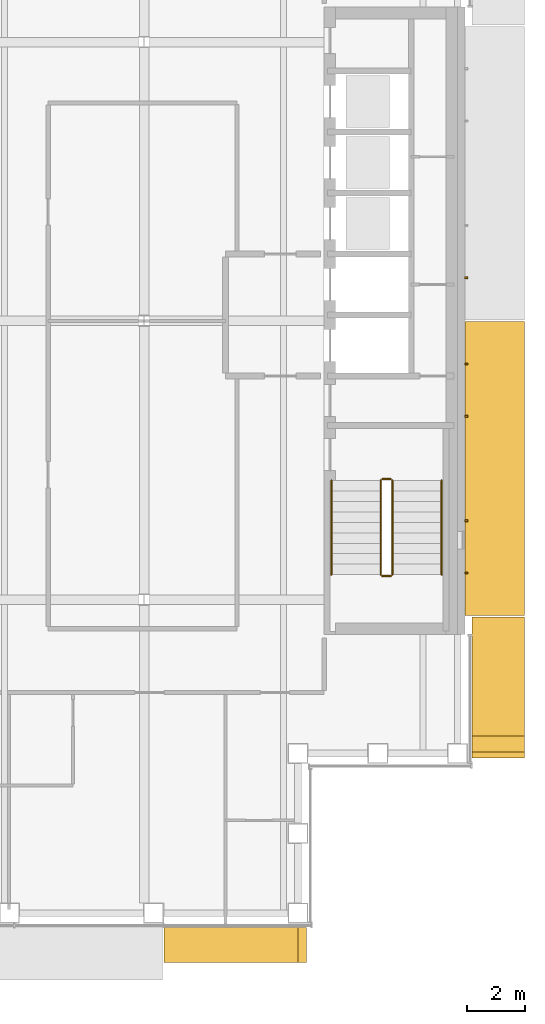
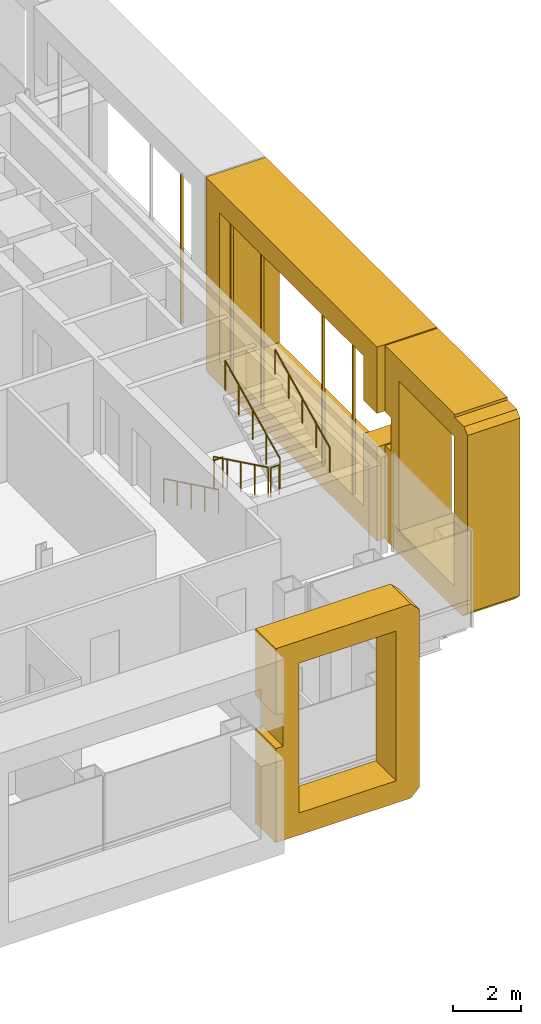
# One storey, part 16 of 19: 8 coverings, 6 railings.
"""IFC4 building model written with IfcOpenShell, lengths in metres."""

from ifc_helpers import new_model, si_unit, direction, frame, origin, origin_2d, place, context, subcontext, project, spatial, polyline, rectangle, circle, outline, extrude, material, type_object, element, save


model = new_model("IFC4")

# Units and contexts
model_context = context("Model", 3, precision=1e-05, world=origin(), true_north=direction((0.0, 1.0)))
body_context = subcontext(model_context, "Body", "Model", "MODEL_VIEW")
ifc_project = project(units=[si_unit("LENGTHUNIT", "METRE"), si_unit("AREAUNIT", "SQUARE_METRE"), si_unit("VOLUMEUNIT", "CUBIC_METRE"), si_unit("PLANEANGLEUNIT", "RADIAN"), si_unit("MASSUNIT", "GRAM", prefix="KILO")], contexts=[model_context])

# Site, building, storey
site_placement = place(None, origin())
site = spatial("IfcSite", under=ifc_project, at=site_placement, CompositionType="ELEMENT")
building_placement = place(site_placement, origin())
building = spatial("IfcBuilding", under=site, at=building_placement, Name="Cobrizo Arcos Hotel Tower", CompositionType="ELEMENT")
storey_placement = place(building_placement, frame((0.0, 0.0, 205.0)))
storey = spatial("IfcBuildingStorey", under=building, at=storey_placement, Name="L53", CompositionType="ELEMENT", Elevation=205.0)

# Coverings
ifc_material_1 = material(Name="Aluminium 6063-T6 anodised bronze", Category="aluminium")
covering_type_1 = type_object("IfcCoveringType", Name="FIN-F 1200", PredefinedType="CLADDING", material=ifc_material_1)
covering_1_placement = place(storey_placement, frame((10.291748046875, -20.89990234375, 0.0), z_axis=(0.0, -1.0, 0.0), x_axis=(1.0, 0.0, 0.0)))
element("IfcCovering", 1, at=covering_1_placement, inside=storey, type_object=covering_type_1, Name="Fin frame 334", PredefinedType="CLADDING", context=body_context, shape_type="SweptSolid", body=[
    extrude(outline(polyline([(0.0, 7.0), (0.0, 4.60205078125), (0.24365234375, 4.60205078125), (0.24365234375, 3.39794921875), (0.0, 3.39794921875), (0.0, 0.0), (4.6083984375, 0.0), (4.908203125, 0.300048828125), (4.908203125, 6.699951171875), (4.6083984375, 7.0), (0.0, 7.0)]), holes=[polyline([(4.1083984375, 0.800048828125), (0.800048828125, 0.800048828125), (0.800048828125, 6.199951171875), (4.1083984375, 6.199951171875), (4.1083984375, 0.800048828125)])]), origin(), (0.0, 0.0, 1.0), 1.2001953125),
])
covering_type_2 = type_object("IfcCoveringType", Name="FIN-F 1800", PredefinedType="CLADDING", material=ifc_material_1)
covering_2_placement = place(storey_placement, frame((20.89990234375, -15.050048828125, 0.0), z_axis=(1.0, 0.0, 0.0), x_axis=(0.0, 1.0, 0.0)))
element("IfcCovering", 2, at=covering_2_placement, inside=storey, type_object=covering_type_2, Name="Fin frame 313", PredefinedType="CLADDING", context=body_context, shape_type="SweptSolid", body=[
    extrude(outline(polyline([(4.8583984375, 0.0), (4.8583984375, 3.39794921875), (4.5146484375, 3.39794921875), (4.5146484375, 4.60205078125), (4.8583984375, 4.60205078125), (4.8583984375, 7.0), (0.751953125, 7.0), (0.751953125, 6.89794921875), (0.197998046875, 6.89794921875), (0.0, 6.699951171875), (0.0, 0.300048828125), (0.300048828125, 0.0), (4.8583984375, 0.0)]), holes=[polyline([(4.058349609375, 0.800048828125), (0.800048828125, 0.800048828125), (0.800048828125, 6.199951171875), (4.058349609375, 6.199951171875), (4.058349609375, 0.800048828125)])]), origin(), (0.0, 0.0, 1.0), 1.800048828125),
])
covering_type_3 = type_object("IfcCoveringType", Name="FIN-F 2050", PredefinedType="CLADDING", material=ifc_material_1)
covering_3_placement = place(storey_placement, frame((20.64990234375, -10.1416015625, 0.0), z_axis=(1.0, 0.0, 0.0), x_axis=(0.0, 1.0, 0.0)))
element("IfcCovering", 3, at=covering_3_placement, inside=storey, type_object=covering_type_3, Name="Fin frame 314", PredefinedType="CLADDING", context=body_context, shape_type="SweptSolid", body=[
    extrude(outline(polyline([(0.0, 7.0), (0.0, 4.60205078125), (0.800048828125, 4.60205078125), (0.800048828125, 6.199951171875), (9.316650390625, 6.199951171875), (9.316650390625, 0.800048828125), (0.800048828125, 0.800048828125), (0.800048828125, 3.39794921875), (0.0, 3.39794921875), (0.0, 0.0), (10.11669921875, 0.0), (10.11669921875, 7.0), (0.0, 7.0)])), origin(), (0.0, 0.0, 1.0), 2.050048828125),
])
ifc_material_2 = material(Name="Aluminium 6063-T6 anodised pale", Category="aluminium")
covering_type_4 = type_object("IfcCoveringType", Name="RS-1 rainscreen rib 60x90", PredefinedType="CLADDING", material=ifc_material_2)
for number, where, z_axis, x_axis, name in (
    (4, (20.695068359375, -8.683349609375, 0.800048828125), (0.0, 0.0, 1.0), (0.0, 1.0, 0.0), "Rainscreen rib 201"),
    (5, (20.695068359375, -6.88330078125, 0.800048828125), (0.0, 0.0, 1.0), (0.0, 1.0, 0.0), "Rainscreen rib 202"),
    (6, (20.695068359375, -3.283447265625, 0.800048828125), (0.0, 0.0, 1.0), (0.0, 1.0, 0.0), "Rainscreen rib 203"),
    (7, (20.695068359375, -1.4833984375, 0.800048828125), (0.0, 0.0, 1.0), (0.0, 1.0, 0.0), "Rainscreen rib 204"),
    (8, (20.695068359375, 1.4833984375, 0.800048828125), (0.0, 0.0, 1.0), (0.0, 1.0, 0.0), "Rainscreen rib 205"),
):
    element("IfcCovering", number, at=place(storey_placement, frame(where, z_axis=z_axis, x_axis=x_axis)), inside=storey, type_object=covering_type_4, Name=name, PredefinedType="CLADDING", context=body_context, shape_type="SweptSolid", body=[
        extrude(rectangle(XDim=0.06005859375, YDim=0.090087890625, at=origin_2d()), origin(), (0.0, 0.0, 1.0), 5.39990234375),
    ])

# Railings
ifc_material_3 = material(Name="Stainless steel railing", Category="steel")
railing_type_1 = type_object("IfcRailingType", Name="Stair guard 1100", PredefinedType="GUARDRAIL", material=ifc_material_3)
railing_1_placement = place(storey_placement, frame((17.75, -5.5, 0.175048828125)))
element("IfcRailing", 9, at=railing_1_placement, inside=storey, type_object=railing_type_1, Name="L53 ST-E stair guard 1", PredefinedType="GUARDRAIL", context=body_context, shape_type="SweptSolid", body=[
    extrude(circle(Radius=0.02392578125, at=origin_2d()), frame((0.0, 0.0, 1.076171875), z_axis=(0.0, -0.899372665325, 0.437182809435), x_axis=(1.0, 0.0, 0.0)), (0.0, 0.0, 1.0), 3.6025390625),
    extrude(circle(Radius=0.02099609375, at=origin_2d()), origin(), (0.0, 0.0, 1.0), 1.052001953125),
    extrude(circle(Radius=0.02099609375, at=origin_2d()), frame((0.0, -0.81005859375, 0.393798828125)), (0.0, 0.0, 1.0), 1.052001953125),
    extrude(circle(Radius=0.02099609375, at=origin_2d()), frame((0.0, -1.6201171875, 0.78759765625)), (0.0, 0.0, 1.0), 1.052001953125),
    extrude(circle(Radius=0.02099609375, at=origin_2d()), frame((0.0, -2.429931640625, 1.18115234375)), (0.0, 0.0, 1.0), 1.052001953125),
    extrude(circle(Radius=0.02099609375, at=origin_2d()), frame((0.0, -3.239990234375, 1.574951171875)), (0.0, 0.0, 1.0), 1.052001953125),
])
railing_2_placement = place(storey_placement, frame((17.800048828125, -8.7900390625, 1.75)))
element("IfcRailing", 10, at=railing_2_placement, inside=storey, type_object=railing_type_1, Name="L53 ST-E stair guard 2", PredefinedType="GUARDRAIL", context=body_context, shape_type="SweptSolid", body=[
    extrude(circle(Radius=0.02392578125, at=origin_2d()), frame((0.0, 0.0, 1.076171875), z_axis=(1.0, 0.0, 0.0), x_axis=(0.0, 1.0, 0.0)), (0.0, 0.0, 1.0), 0.300048828125),
    extrude(circle(Radius=0.02099609375, at=origin_2d()), origin(), (0.0, 0.0, 1.0), 1.052001953125),
    extrude(circle(Radius=0.02099609375, at=origin_2d()), frame((0.300048828125, 0.0, 0.0)), (0.0, 0.0, 1.0), 1.052001953125),
])
railing_3_placement = place(storey_placement, frame((18.14990234375, -8.739990234375, 1.925048828125)))
element("IfcRailing", 11, at=railing_3_placement, inside=storey, type_object=railing_type_1, Name="L53 ST-E stair guard 3", PredefinedType="GUARDRAIL", context=body_context, shape_type="SweptSolid", body=[
    extrude(circle(Radius=0.02392578125, at=origin_2d()), frame((0.0, 0.0, 1.076171875), z_axis=(0.0, 0.899372665325, 0.437182809435), x_axis=(-1.0, 0.0, 0.0)), (0.0, 0.0, 1.0), 3.6025390625),
    extrude(circle(Radius=0.02099609375, at=origin_2d()), origin(), (0.0, 0.0, 1.0), 1.052001953125),
    extrude(circle(Radius=0.02099609375, at=origin_2d()), frame((0.0, 0.81005859375, 0.393798828125)), (0.0, 0.0, 1.0), 1.052001953125),
    extrude(circle(Radius=0.02099609375, at=origin_2d()), frame((0.0, 1.6201171875, 0.78759765625)), (0.0, 0.0, 1.0), 1.052001953125),
    extrude(circle(Radius=0.02099609375, at=origin_2d()), frame((0.0, 2.429931640625, 1.18115234375)), (0.0, 0.0, 1.0), 1.052001953125),
    extrude(circle(Radius=0.02099609375, at=origin_2d()), frame((0.0, 3.239990234375, 1.574951171875)), (0.0, 0.0, 1.0), 1.052001953125),
])
railing_4_placement = place(storey_placement, frame((17.800048828125, -5.449951171875, 0.0)))
element("IfcRailing", 12, at=railing_4_placement, inside=storey, type_object=railing_type_1, Name="L53 ST-E stair guard 4", PredefinedType="GUARDRAIL", context=body_context, shape_type="SweptSolid", body=[
    extrude(circle(Radius=0.02392578125, at=origin_2d()), frame((0.0, 0.0, 1.076171875), z_axis=(1.0, 0.0, 0.0), x_axis=(0.0, 1.0, 0.0)), (0.0, 0.0, 1.0), 0.300048828125),
    extrude(circle(Radius=0.02099609375, at=origin_2d()), origin(), (0.0, 0.0, 1.0), 1.052001953125),
    extrude(circle(Radius=0.02099609375, at=origin_2d()), frame((0.300048828125, 0.0, 0.0)), (0.0, 0.0, 1.0), 1.052001953125),
])
railing_type_2 = type_object("IfcRailingType", Name="Stair handrail", PredefinedType="HANDRAIL", material=ifc_material_3)
railing_5_placement = place(storey_placement, frame((16.050048828125, -5.5, 0.175048828125)))
element("IfcRailing", 13, at=railing_5_placement, inside=storey, type_object=railing_type_2, Name="L53 ST-E stair handrail 1", PredefinedType="HANDRAIL", context=body_context, shape_type="SweptSolid", body=[
    extrude(circle(Radius=0.02392578125, at=origin_2d()), frame((0.0, 0.0, 0.8759765625), z_axis=(0.0, -0.899372665325, 0.437182809435), x_axis=(1.0, 0.0, 0.0)), (0.0, 0.0, 1.0), 3.6025390625),
    extrude(circle(Radius=0.02099609375, at=origin_2d()), origin(), (0.0, 0.0, 1.0), 0.851806640625),
    extrude(circle(Radius=0.02099609375, at=origin_2d()), frame((0.0, -0.81005859375, 0.393798828125)), (0.0, 0.0, 1.0), 0.851806640625),
    extrude(circle(Radius=0.02099609375, at=origin_2d()), frame((0.0, -1.6201171875, 0.78759765625)), (0.0, 0.0, 1.0), 0.851806640625),
    extrude(circle(Radius=0.02099609375, at=origin_2d()), frame((0.0, -2.429931640625, 1.18115234375)), (0.0, 0.0, 1.0), 0.851806640625),
    extrude(circle(Radius=0.02099609375, at=origin_2d()), frame((0.0, -3.239990234375, 1.574951171875)), (0.0, 0.0, 1.0), 0.851806640625),
])
railing_6_placement = place(storey_placement, frame((19.85009765625, -8.739990234375, 1.925048828125)))
element("IfcRailing", 14, at=railing_6_placement, inside=storey, type_object=railing_type_2, Name="L53 ST-E stair handrail 2", PredefinedType="HANDRAIL", context=body_context, shape_type="SweptSolid", body=[
    extrude(circle(Radius=0.02392578125, at=origin_2d()), frame((0.0, 0.0, 0.8759765625), z_axis=(0.0, 0.899372665325, 0.437182809435), x_axis=(-1.0, 0.0, 0.0)), (0.0, 0.0, 1.0), 3.6025390625),
    extrude(circle(Radius=0.02099609375, at=origin_2d()), origin(), (0.0, 0.0, 1.0), 0.851806640625),
    extrude(circle(Radius=0.02099609375, at=origin_2d()), frame((0.0, 0.81005859375, 0.393798828125)), (0.0, 0.0, 1.0), 0.851806640625),
    extrude(circle(Radius=0.02099609375, at=origin_2d()), frame((0.0, 1.6201171875, 0.78759765625)), (0.0, 0.0, 1.0), 0.851806640625),
    extrude(circle(Radius=0.02099609375, at=origin_2d()), frame((0.0, 2.429931640625, 1.18115234375)), (0.0, 0.0, 1.0), 0.851806640625),
    extrude(circle(Radius=0.02099609375, at=origin_2d()), frame((0.0, 3.239990234375, 1.574951171875)), (0.0, 0.0, 1.0), 0.851806640625),
])

save(model, "model.ifc")
